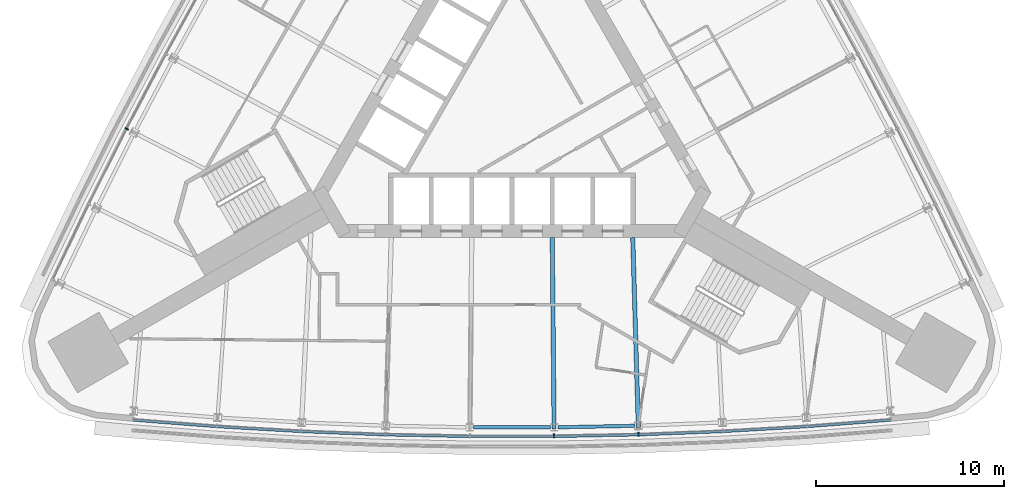
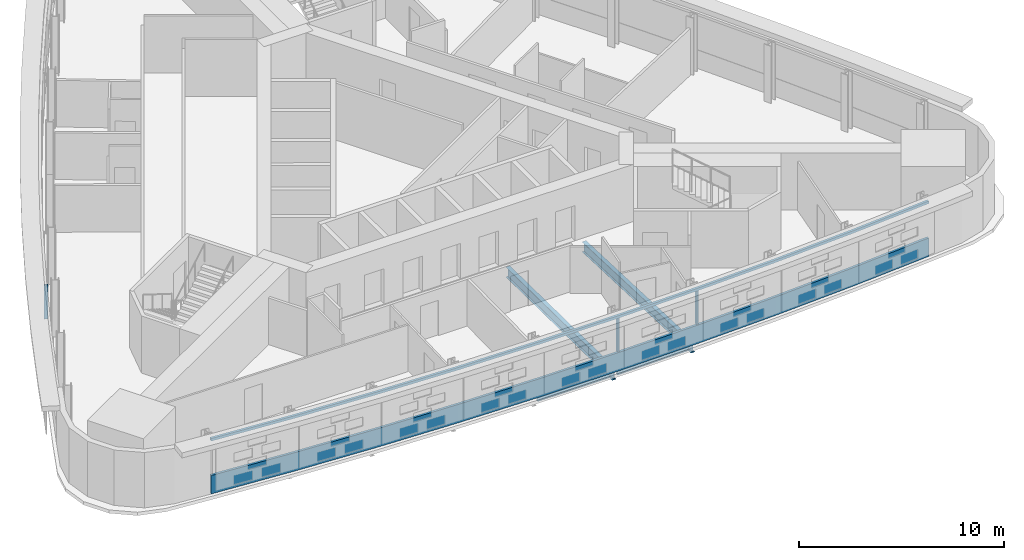
# One storey, part 3 of 13: 5 members, 4 beams, 2 elements without a shape of their own.
"""IFC4 building model written with IfcOpenShell, lengths in metres."""

import ifcopenshell
import ifcopenshell.guid

model = None  # the IFC model being written
_history = None  # IfcOwnerHistory: only IFC2X3 demands one
_inside = {}  # id of a spatial element -> (the spatial element, [elements in it])
_under = {}  # id of a project, library or spatial element -> (it, [spatial elements below it])
_declared = {}  # id of a project -> (the project, [libraries it declares])
_typed = {}  # id of a type object -> (the type object, [elements of that type])
_made_of = {}  # id of a material, layer set ... -> (it, [elements and type objects made of it])


def new_model(schema):
    """Start an empty IFC model of exactly this schema.

    Asked for "IFC4X3", IfcOpenShell would pick the latest addendum, in which some entities
    have other attributes; the version numbers below select the first issue.
    IFC2X3 requires an IfcOwnerHistory on every rooted entity: one is made here for all.
    """
    global model, _history
    if schema == "IFC4X3":
        model = ifcopenshell.file(schema_version=(4, 3, 0, 0))
    else:
        model = ifcopenshell.file(schema=schema)
    _inside.clear()
    _under.clear()
    _declared.clear()
    _typed.clear()
    _made_of.clear()
    _history = None
    if model.schema == "IFC2X3":
        org = make("IfcOrganization", Name="unknown")
        user = make(
            "IfcPersonAndOrganization",
            ThePerson=make("IfcPerson", FamilyName="unknown"),
            TheOrganization=org,
        )
        app = make(
            "IfcApplication",
            ApplicationDeveloper=org,
            Version="unknown",
            ApplicationFullName="unknown",
            ApplicationIdentifier="unknown",
        )
        _history = make(
            "IfcOwnerHistory",
            OwningUser=user,
            OwningApplication=app,
            ChangeAction="ADDED",
            CreationDate=0,
        )
    return model


def make(cls, **values):
    """One entity of the class cls with the attributes given. An attribute that is None is left unset."""
    return model.create_entity(
        cls, **{name: value for name, value in values.items() if value is not None}
    )


def rooted(cls, **values):
    """An entity with a GlobalId (a new one), such as an element, a storey or a relation."""
    return make(cls, GlobalId=ifcopenshell.guid.new(), OwnerHistory=_history, **values)


def si_unit(unit_type, name, prefix=None):
    """IfcSIUnit, for example si_unit("LENGTHUNIT", "METRE", prefix="MILLI")."""
    return make("IfcSIUnit", UnitType=unit_type, Prefix=prefix, Name=name)


def assignment(units):
    """IfcUnitAssignment: the units of a project."""
    return None if units is None else make("IfcUnitAssignment", Units=units)


def point(xyz):
    """IfcCartesianPoint."""
    return None if xyz is None else make("IfcCartesianPoint", Coordinates=xyz)


def direction(xyz):
    """IfcDirection."""
    return None if xyz is None else make("IfcDirection", DirectionRatios=xyz)


def frame(location, z_axis=None, x_axis=None):
    """IfcAxis2Placement3D, a coordinate frame: its origin and axes. An axis left out is left unset."""
    return make(
        "IfcAxis2Placement3D",
        Location=point(location),
        Axis=direction(z_axis),
        RefDirection=direction(x_axis),
    )


def frame_2d(location, x_axis=None):
    """IfcAxis2Placement2D, a coordinate frame in the plane: its origin and x axis."""
    return make(
        "IfcAxis2Placement2D", Location=point(location), RefDirection=direction(x_axis)
    )


def origin():
    """The frame at (0, 0, 0) with its axes left unset."""
    return frame((0.0, 0.0, 0.0))


def origin_2d():
    """The frame at (0, 0) in the plane with its x axis left unset."""
    return frame_2d((0.0, 0.0))


def place(relative_to, where):
    """IfcLocalPlacement: puts the frame where relative to a parent placement (None: the world)."""
    return make(
        "IfcLocalPlacement", PlacementRelTo=relative_to, RelativePlacement=where
    )


def context(
    kind, dimensions, precision=None, world=None, true_north=None, identifier=None
):
    """IfcGeometricRepresentationContext, for example the 3D "Model" context."""
    return make(
        "IfcGeometricRepresentationContext",
        ContextIdentifier=identifier,
        ContextType=kind,
        CoordinateSpaceDimension=dimensions,
        Precision=precision,
        WorldCoordinateSystem=world,
        TrueNorth=true_north,
    )


def subcontext(parent, identifier, kind, view, scale=None):
    """IfcGeometricRepresentationSubContext, for example "Body" below "Model"."""
    return make(
        "IfcGeometricRepresentationSubContext",
        ContextIdentifier=identifier,
        ContextType=kind,
        ParentContext=parent,
        TargetScale=scale,
        TargetView=view,
    )


def project(units=None, contexts=None):
    """IfcProject with its units and contexts."""
    return rooted(
        "IfcProject",
        Name="project",
        RepresentationContexts=contexts,
        UnitsInContext=assignment(units),
    )


def spatial(cls, under=None, at=None, **own):
    """A site, building, storey or space (cls), placed at a placement, below another one or the project."""
    s = rooted(cls, ObjectPlacement=at, **own)
    if under is not None:
        _under.setdefault(under.id(), (under, []))[1].append(s)
    return s


def polyline(points):
    """IfcPolyline through the points."""
    return make("IfcPolyline", Points=[point(p) for p in points])


def profile(cls, at=None, kind="AREA", **sizes):
    """A parametric profile (cls). Its sizes go by their IFC names, for example OverallWidth=200.0."""
    return make(cls, ProfileType=kind, Position=at, **sizes)


def rectangle(**sizes):
    """IfcRectangleProfileDef."""
    return profile("IfcRectangleProfileDef", **sizes)


def i_section(**sizes):
    """IfcIShapeProfileDef."""
    return profile("IfcIShapeProfileDef", **sizes)


def outline(outer, holes=None, kind="AREA"):
    """IfcArbitraryClosedProfileDef: a profile drawn as a closed curve; with holes, ...WithVoids."""
    if holes is None:
        return make("IfcArbitraryClosedProfileDef", ProfileType=kind, OuterCurve=outer)
    return make(
        "IfcArbitraryProfileDefWithVoids",
        ProfileType=kind,
        OuterCurve=outer,
        InnerCurves=holes,
    )


def extrude(swept, where, along, depth):
    """IfcExtrudedAreaSolid: the profile swept, set in the frame where, extruded along a direction by depth."""
    return make(
        "IfcExtrudedAreaSolid",
        SweptArea=swept,
        Position=where,
        ExtrudedDirection=direction(along),
        Depth=depth,
    )


def shape(context_of_items, identifier, shape_type, items):
    """IfcShapeRepresentation: the items that make up one representation, for example the "Body"."""
    return make(
        "IfcShapeRepresentation",
        ContextOfItems=context_of_items,
        RepresentationIdentifier=identifier,
        RepresentationType=shape_type,
        Items=items,
    )


def material(Name=None, Category=None):
    """IfcMaterial."""
    return make("IfcMaterial", Name=Name, Category=Category)


def material_profile(
    of_material, cross_section, Name=None, Category=None, Priority=None
):
    """IfcMaterialProfile: a cross section and its material."""
    return make(
        "IfcMaterialProfile",
        Name=Name,
        Material=of_material,
        Profile=cross_section,
        Priority=Priority,
        Category=Category,
    )


def profile_set(profiles, Name=None, composite=None):
    """IfcMaterialProfileSet."""
    return make(
        "IfcMaterialProfileSet",
        Name=Name,
        MaterialProfiles=profiles,
        CompositeProfile=composite,
    )


def made_of(thing, what):
    """Note that an element or type object is made of a material, layer set ...; save() writes the relation."""
    if what is not None:
        _made_of.setdefault(what.id(), (what, []))[1].append(thing)
    return thing


def type_object(cls, material=None, **own):
    """A type object (cls), such as IfcWallType, which elements share."""
    return made_of(rooted(cls, **own), material)


def element(
    cls,
    number,
    at=None,
    inside=None,
    cuts=None,
    type_object=None,
    material=None,
    context=None,
    identifier="Body",
    shape_type=None,
    held_by="IfcProductDefinitionShape",
    body=None,
    shapes=None,
    **own,
):
    """One element of the class cls, such as IfcWall. Its Tag is "e" and its number.

    at: its placement. inside: the storey or other place that contains it. cuts: it is an
    opening in that element (IfcRelVoidsElement). A single representation is given by context,
    identifier, shape_type and body (its items); several are given by shapes. held_by: the class
    of the entity that holds the representations. save() writes the other relations.
    """
    e = rooted(cls, Tag="e%d" % number, ObjectPlacement=at, **own)
    if body is not None:
        shapes = [shape(context, identifier, shape_type, body)]
    if shapes is not None:
        e.Representation = make(held_by, Representations=shapes)
    if inside is not None:
        _inside.setdefault(inside.id(), (inside, []))[1].append(e)
    if cuts is not None:
        rooted(
            "IfcRelVoidsElement", RelatingBuildingElement=cuts, RelatedOpeningElement=e
        )
    if type_object is not None:
        _typed.setdefault(type_object.id(), (type_object, []))[1].append(e)
    return made_of(e, material)


def aggregate(whole, parts):
    """IfcRelAggregates: a whole, such as a stair, and the parts it consists of."""
    return rooted("IfcRelAggregates", RelatingObject=whole, RelatedObjects=parts)


def save(model, path):
    """Write the relations noted so far, then the file.

    IfcRelAggregates (storeys below a building ...), IfcRelContainedInSpatialStructure (elements
    in a storey), IfcRelDefinesByType, IfcRelAssociatesMaterial and IfcRelDeclares: one each for
    every whole, place, type object, material and project.
    """
    for whole, parts in _under.values():
        aggregate(whole, parts)
    for where, things in _inside.values():
        rooted(
            "IfcRelContainedInSpatialStructure",
            RelatedElements=things,
            RelatingStructure=where,
        )
    for kind, things in _typed.values():
        rooted("IfcRelDefinesByType", RelatedObjects=things, RelatingType=kind)
    for what, things in _made_of.values():
        rooted("IfcRelAssociatesMaterial", RelatedObjects=things, RelatingMaterial=what)
    for by, libraries in _declared.values():
        rooted("IfcRelDeclares", RelatingContext=by, RelatedDefinitions=libraries)
    model.write(path)


model = new_model("IFC4")

# Units and contexts
model_context = context("Model", 3, precision=1e-05, world=origin(), true_north=direction((0.0, 1.0)))
body_context = subcontext(model_context, "Body", "Model", "MODEL_VIEW")
ifc_project = project(units=[si_unit("LENGTHUNIT", "METRE"), si_unit("AREAUNIT", "SQUARE_METRE"), si_unit("VOLUMEUNIT", "CUBIC_METRE"), si_unit("PLANEANGLEUNIT", "RADIAN"), si_unit("MASSUNIT", "GRAM", prefix="KILO")], contexts=[model_context])

# Site, building, storey
site_placement = place(None, origin())
site = spatial("IfcSite", under=ifc_project, at=site_placement, CompositionType="ELEMENT")
building_placement = place(site_placement, origin())
building = spatial("IfcBuilding", under=site, at=building_placement, Name="Noor Cloister Tower", CompositionType="ELEMENT")
storey_placement = place(building_placement, frame((0.0, 0.0, 79.800048828125)))
storey = spatial("IfcBuildingStorey", under=building, at=storey_placement, Name="L20", CompositionType="ELEMENT", Elevation=79.800048828125)

# Curtain wall, member
ifc_material_1 = material(Name="Aluminium 6063-T6 anodised", Category="aluminium")
curtain_wall_type = type_object("IfcCurtainWallType", Name="Ribbon curtain wall, lower tower CW1", PredefinedType="NOTDEFINED", material=ifc_material_1)
curtain_wall_1_placement = place(storey_placement, origin())
curtain_wall_1 = element("IfcCurtainWall", 1, at=curtain_wall_1_placement, inside=storey, type_object=curtain_wall_type, Name="CW1 L20 S run 2", PredefinedType="NOTDEFINED")
ifc_material_2 = material(Name="Aluminium 6063-T6 anodised", Category="aluminium")
member_type_1 = type_object("IfcMemberType", Name="Head transom CW1 150", PredefinedType="USERDEFINED", material=ifc_material_2)
member_1_placement = place(storey_placement, frame((0.0, 0.0, 3.14990234375)))
member_1 = element("IfcMember", 2, at=member_1_placement, type_object=member_type_1, Name="CW1 head transom", ObjectType="TRANSOM", PredefinedType="USERDEFINED", context=body_context, shape_type="SweptSolid", body=[
    extrude(outline(polyline([(-20.22412109375, -16.7158203125), (-15.73779296875, -17.066162109375), (-11.24560546875, -17.328857421875), (-6.7490234375, -17.504150390625), (-2.25, -17.591796875), (2.25, -17.591796875), (6.7490234375, -17.504150390625), (11.24560546875, -17.328857421875), (15.73779296875, -17.066162109375), (20.22412109375, -16.7158203125), (20.213134765625, -16.576171875), (15.728271484375, -16.926513671875), (11.23876953125, -17.189208984375), (6.744873046875, -17.3642578125), (2.24853515625, -17.451904296875), (-2.24853515625, -17.451904296875), (-6.744873046875, -17.3642578125), (-11.23876953125, -17.189208984375), (-15.728271484375, -16.926513671875), (-20.213134765625, -16.576171875), (-20.22412109375, -16.7158203125)])), origin(), (0.0, 0.0, 1.0), 0.150146484375),
])

curtain_wall_2_placement = place(storey_placement, origin())
curtain_wall_2 = element("IfcCurtainWall", 3, at=curtain_wall_2_placement, inside=storey, type_object=curtain_wall_type, Name="CW1 L20 NW run 1", PredefinedType="NOTDEFINED")
ifc_material_3 = material(Name="Aluminium 6063-T6 anodised", Category="aluminium")
ifc_material_profile_1 = material_profile(ifc_material_3, rectangle(XDim=0.199951171875, YDim=0.080078125, at=origin_2d()), Name="200 x 80 mullion")
ifc_profile_set_1 = profile_set([ifc_material_profile_1], Name="Aluminium 6063-T6 anodised")
member_type_2 = type_object("IfcMemberType", Name="Mullion CW1 80 x 200", PredefinedType="MULLION", material=ifc_profile_set_1)
member_2_placement = place(storey_placement, frame((-20.541259765625, -1.1201171875, 1.099853515625), z_axis=(0.0, 0.0, 1.0), x_axis=(0.889338999208, -0.45724844941, 0.0)))
member_2 = element("IfcMember", 4, at=member_2_placement, type_object=member_type_2, Name="CW1 mullion 8", PredefinedType="MULLION", context=body_context, shape_type="SweptSolid", body=[
    extrude(rectangle(XDim=0.199951171875, YDim=0.080078125, at=origin_2d()), origin(), (0.0, 0.0, 1.0), 2.050048828125),
])
aggregate(curtain_wall_2, [member_2])

# Member
member_3_placement = place(storey_placement, frame((2.2490234375, -17.491943359375, 1.099853515625), z_axis=(0.0, 0.0, 1.0), x_axis=(-0.009739847876, 0.999952566557, 0.0)))
member_3 = element("IfcMember", 5, at=member_3_placement, type_object=member_type_2, Name="CW1 mullion 6", PredefinedType="MULLION", context=body_context, shape_type="SweptSolid", body=[
    extrude(rectangle(XDim=0.199951171875, YDim=0.080078125, at=origin_2d()), origin(), (0.0, 0.0, 1.0), 2.050048828125),
])

member_4_placement = place(storey_placement, frame((6.74609375, -17.404296875, 1.099853515625), z_axis=(0.0, 0.0, 1.0), x_axis=(-0.029215830313, 0.999573126519, 0.0)))
member_4 = element("IfcMember", 6, at=member_4_placement, type_object=member_type_2, Name="CW1 mullion 7", PredefinedType="MULLION", context=body_context, shape_type="SweptSolid", body=[
    extrude(rectangle(XDim=0.199951171875, YDim=0.080078125, at=origin_2d()), origin(), (0.0, 0.0, 1.0), 2.050048828125),
])

# Beams
ifc_material_4 = material(Name="Steel ASTM A992 Gr 50", Category="steel")
ifc_material_profile_2 = material_profile(ifc_material_4, i_section(OverallWidth=0.22802734375, OverallDepth=0.60205078125, WebThickness=0.010498046875, FlangeThickness=0.014892578125, FilletRadius=0.0126953125, at=origin_2d()), Name="W610x101")
ifc_profile_set_2 = profile_set([ifc_material_profile_2], Name="Steel ASTM A992 Gr 50")
beam_type_1 = type_object("IfcBeamType", Name="Radial beam W610x101", PredefinedType="BEAM", material=ifc_profile_set_2)
beam_1_placement = place(storey_placement, frame((2.24560546875, -17.138916015625, -0.5009765625), z_axis=(-0.009754933581, 0.999952419503, 0.0), x_axis=(-0.999952419503, -0.009754933581, 0.0)))
element("IfcBeam", 7, at=beam_1_placement, inside=storey, type_object=beam_type_1, Name="Radial beam S 06 L20", PredefinedType="BEAM", context=body_context, shape_type="SweptSolid", body=[
    extrude(i_section(OverallWidth=0.22802734375, OverallDepth=0.60205078125, WebThickness=0.010498046875, FlangeThickness=0.014892578125, FilletRadius=0.0126953125, at=origin_2d()), origin(), (0.0, 0.0, 1.0), 10.211181640625),
])
beam_2_placement = place(storey_placement, frame((6.73583984375, -17.051513671875, -0.5009765625), z_axis=(-0.029216992359, 0.999573092554, 0.0), x_axis=(-0.999573092554, -0.029216992359, 0.0)))
element("IfcBeam", 8, at=beam_2_placement, inside=storey, type_object=beam_type_1, Name="Radial beam S 07 L20", PredefinedType="BEAM", context=body_context, shape_type="SweptSolid", body=[
    extrude(i_section(OverallWidth=0.22802734375, OverallDepth=0.60205078125, WebThickness=0.010498046875, FlangeThickness=0.014892578125, FilletRadius=0.0126953125, at=origin_2d()), origin(), (0.0, 0.0, 1.0), 10.127685546875),
])

# Member
ifc_material_5 = material(Name="Aluminium 6063-T6 anodised", Category="aluminium")
member_type_3 = type_object("IfcMemberType", Name="Sill transom CW1 1100", PredefinedType="USERDEFINED", material=ifc_material_5)
member_5_placement = place(storey_placement, origin())
member_5 = element("IfcMember", 9, at=member_5_placement, type_object=member_type_3, Name="CW1 sill transom", ObjectType="TRANSOM", PredefinedType="USERDEFINED", context=body_context, shape_type="SweptSolid", body=[
    extrude(outline(polyline([(-20.22412109375, -16.7158203125), (-15.73779296875, -17.066162109375), (-11.24560546875, -17.328857421875), (-6.7490234375, -17.504150390625), (-2.25, -17.591796875), (2.25, -17.591796875), (6.7490234375, -17.504150390625), (11.24560546875, -17.328857421875), (15.73779296875, -17.066162109375), (20.22412109375, -16.7158203125), (20.213134765625, -16.576171875), (15.728271484375, -16.926513671875), (11.23876953125, -17.189208984375), (6.744873046875, -17.3642578125), (2.24853515625, -17.451904296875), (-2.24853515625, -17.451904296875), (-6.744873046875, -17.3642578125), (-11.23876953125, -17.189208984375), (-15.728271484375, -16.926513671875), (-20.213134765625, -16.576171875), (-20.22412109375, -16.7158203125)])), origin(), (0.0, 0.0, 1.0), 1.099853515625),
])

aggregate(curtain_wall_1, [member_3, member_4, member_5, member_1])

# Beams
ifc_material_6 = material(Name="Steel ASTM A992 Gr 50", Category="steel")
ifc_material_profile_3 = material_profile(ifc_material_6, i_section(OverallWidth=0.177978515625, OverallDepth=0.406005859375, WebThickness=0.0078125, FlangeThickness=0.0126953125, FilletRadius=0.01025390625, at=origin_2d()), Name="W410x60")
ifc_profile_set_3 = profile_set([ifc_material_profile_3], Name="Steel ASTM A992 Gr 50")
beam_type_2 = type_object("IfcBeamType", Name="Spandrel beam W410x60", PredefinedType="SPANDREL", material=ifc_profile_set_3)
beam_3_placement = place(storey_placement, frame((-2.042724609375, -17.0419921875, -0.403076171875), z_axis=(1.0, 0.0, 0.0), x_axis=(0.0, 1.0, 0.0)))
element("IfcBeam", 10, at=beam_3_placement, inside=storey, type_object=beam_type_2, Name="Spandrel beam S 05 L20", PredefinedType="SPANDREL", context=body_context, shape_type="SweptSolid", body=[
    extrude(i_section(OverallWidth=0.177978515625, OverallDepth=0.406005859375, WebThickness=0.0078125, FlangeThickness=0.0126953125, FilletRadius=0.01025390625, at=origin_2d()), origin(), (0.0, 0.0, 1.0), 4.08544921875),
])
beam_4_placement = place(storey_placement, frame((2.446533203125, -17.0380859375, -0.403076171875), z_axis=(0.999810202859, 0.019482254999, 0.0), x_axis=(-0.019482254999, 0.999810202859, 0.0)))
element("IfcBeam", 11, at=beam_4_placement, inside=storey, type_object=beam_type_2, Name="Spandrel beam S 06 L20", PredefinedType="SPANDREL", context=body_context, shape_type="SweptSolid", body=[
    extrude(i_section(OverallWidth=0.177978515625, OverallDepth=0.406005859375, WebThickness=0.0078125, FlangeThickness=0.0126953125, FilletRadius=0.01025390625, at=origin_2d()), origin(), (0.0, 0.0, 1.0), 4.085205078125),
])

save(model, "model.ifc")
